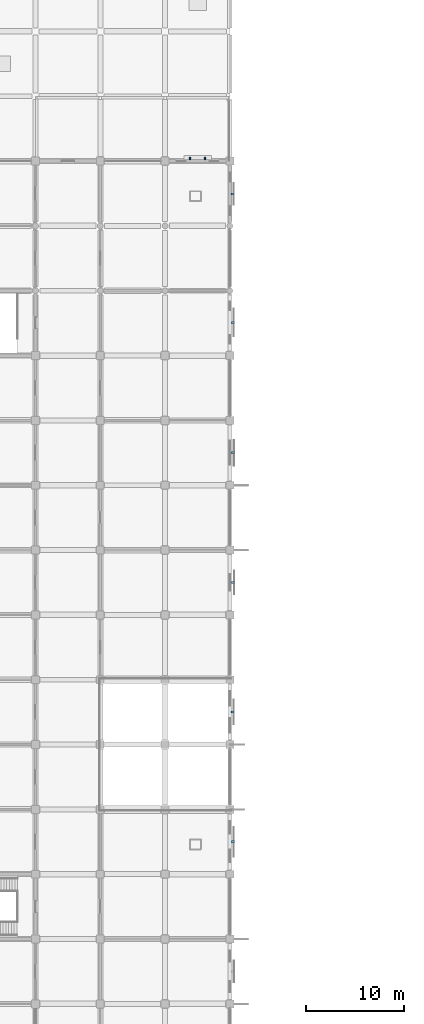
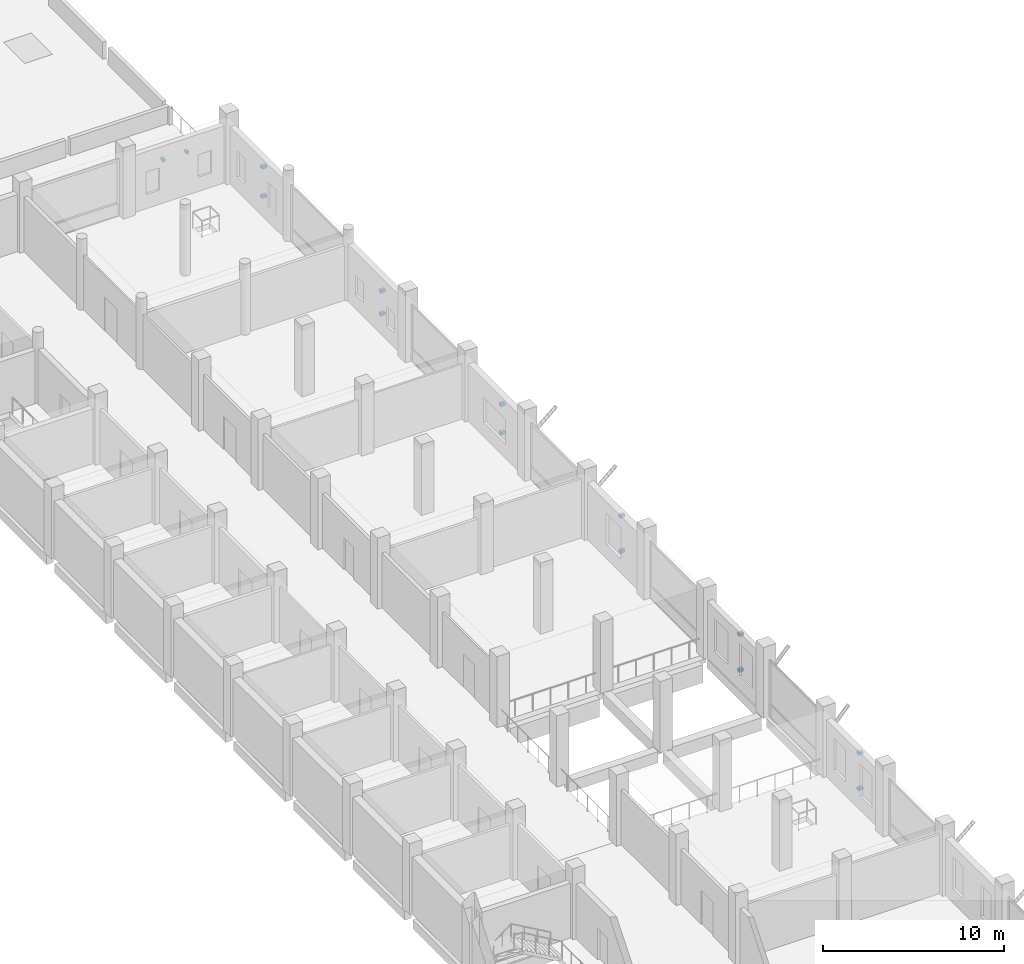
# One storey, part 29 of 34: 14 discrete accessories.
"""IFC4 building model written with IfcOpenShell, lengths in metres."""

from ifc_helpers import new_model, si_unit, direction, frame, origin, origin_2d, place, context, subcontext, project, spatial, rectangle, extrude, material, type_object, element, save


model = new_model("IFC4")

# Units and contexts
model_context = context("Model", 3, precision=1e-05, world=origin(), true_north=direction((0.0, 1.0)))
body_context = subcontext(model_context, "Body", "Model", "MODEL_VIEW")
ifc_project = project(units=[si_unit("LENGTHUNIT", "METRE"), si_unit("AREAUNIT", "SQUARE_METRE"), si_unit("VOLUMEUNIT", "CUBIC_METRE"), si_unit("PLANEANGLEUNIT", "RADIAN"), si_unit("MASSUNIT", "GRAM", prefix="KILO")], contexts=[model_context])

# Site, building, storey
site_placement = place(None, origin())
site = spatial("IfcSite", under=ifc_project, at=site_placement, CompositionType="ELEMENT")
building_placement = place(site_placement, origin())
building = spatial("IfcBuilding", under=site, at=building_placement, Name="Rusizi Kubbe Research Institute", CompositionType="ELEMENT")
storey_placement = place(building_placement, frame((0.0, 0.0, 5.39990234375)))
storey = spatial("IfcBuildingStorey", under=building, at=storey_placement, Name="L01", CompositionType="ELEMENT", Elevation=5.39990234375)

# Discrete accessories
ifc_material_1 = material(Name="Steel S355", Category="steel")
discrete_accessory_type_1 = type_object("IfcDiscreteAccessoryType", Name="BK-01", PredefinedType="BRACKET", material=ifc_material_1)
for number, where, z_axis, x_axis, name in (
    (1, (26.6875, 75.89990234375, 0.740234375), (0.0, 0.0, 1.0), (1.0, 0.0, 0.0), "Solar Screen Bracket 22-1"),
    (2, (26.6875, 75.89990234375, 3.14013671875), (0.0, 0.0, 1.0), (1.0, 0.0, 0.0), "Solar Screen Bracket 22-2"),
    (3, (26.672607421875, 89.10009765625, 0.740234375), (0.0, 0.0, 1.0), (1.0, 0.0, 0.0), "Solar Screen Bracket 23-1"),
    (4, (26.672607421875, 89.10009765625, 3.16015625), (0.0, 0.0, 1.0), (1.0, 0.0, 0.0), "Solar Screen Bracket 23-2"),
    (5, (26.719970703125, 102.300048828125, 0.740234375), (0.0, 0.0, 1.0), (1.0, 0.0, 0.0), "Solar Screen Bracket 24-1"),
    (6, (26.719970703125, 102.300048828125, 3.1201171875), (0.0, 0.0, 1.0), (1.0, 0.0, 0.0), "Solar Screen Bracket 24-2"),
    (7, (26.702392578125, 115.5, 0.740234375), (0.0, 0.0, 1.0), (1.0, 0.0, 0.0), "Solar Screen Bracket 25-1"),
    (8, (26.702392578125, 115.5, 2.66015625), (0.0, 0.0, 1.0), (1.0, 0.0, 0.0), "Solar Screen Bracket 25-2"),
    (9, (26.6875, 128.75, 0.740234375), (0.0, 0.0, 1.0), (1.0, 0.0, 0.0), "Solar Screen Bracket 26-1"),
    (10, (26.6875, 128.75, 2.2802734375), (0.0, 0.0, 1.0), (1.0, 0.0, 0.0), "Solar Screen Bracket 26-2"),
    (11, (26.672607421875, 141.85009765625, 0.740234375), (0.0, 0.0, 1.0), (1.0, 0.0, 0.0), "Solar Screen Bracket 27-1"),
    (12, (26.672607421875, 141.85009765625, 2.72021484375), (0.0, 0.0, 1.0), (1.0, 0.0, 0.0), "Solar Screen Bracket 27-2"),
):
    element("IfcDiscreteAccessory", number, at=place(storey_placement, frame(where, z_axis=z_axis, x_axis=x_axis)), inside=storey, type_object=discrete_accessory_type_1, Name=name, PredefinedType="BRACKET", context=body_context, shape_type="SweptSolid", body=[
        extrude(rectangle(XDim=0.300048828125, YDim=0.219970703125, at=origin_2d()), origin(), (0.0, 0.0, 1.0), 0.179931640625),
    ])
ifc_material_2 = material(Name="Steel S355", Category="steel")
discrete_accessory_type_2 = type_object("IfcDiscreteAccessoryType", Name="BK-02", PredefinedType="BRACKET", material=ifc_material_2)
for number, where, z_axis, x_axis, name in (
    (13, (22.35009765625, 145.46240234375, 2.52001953125), (0.0, 0.0, 1.0), (1.0, 0.0, 0.0), "Louver Canopy Bracket 13-1"),
    (14, (23.85009765625, 145.46240234375, 2.52001953125), (0.0, 0.0, 1.0), (1.0, 0.0, 0.0), "Louver Canopy Bracket 13-2"),
):
    element("IfcDiscreteAccessory", number, at=place(storey_placement, frame(where, z_axis=z_axis, x_axis=x_axis)), inside=storey, type_object=discrete_accessory_type_2, Name=name, PredefinedType="BRACKET", context=body_context, shape_type="SweptSolid", body=[
        extrude(rectangle(XDim=0.159912109375, YDim=0.280029296875, at=origin_2d()), origin(), (0.0, 0.0, 1.0), 0.179931640625),
    ])

save(model, "model.ifc")
